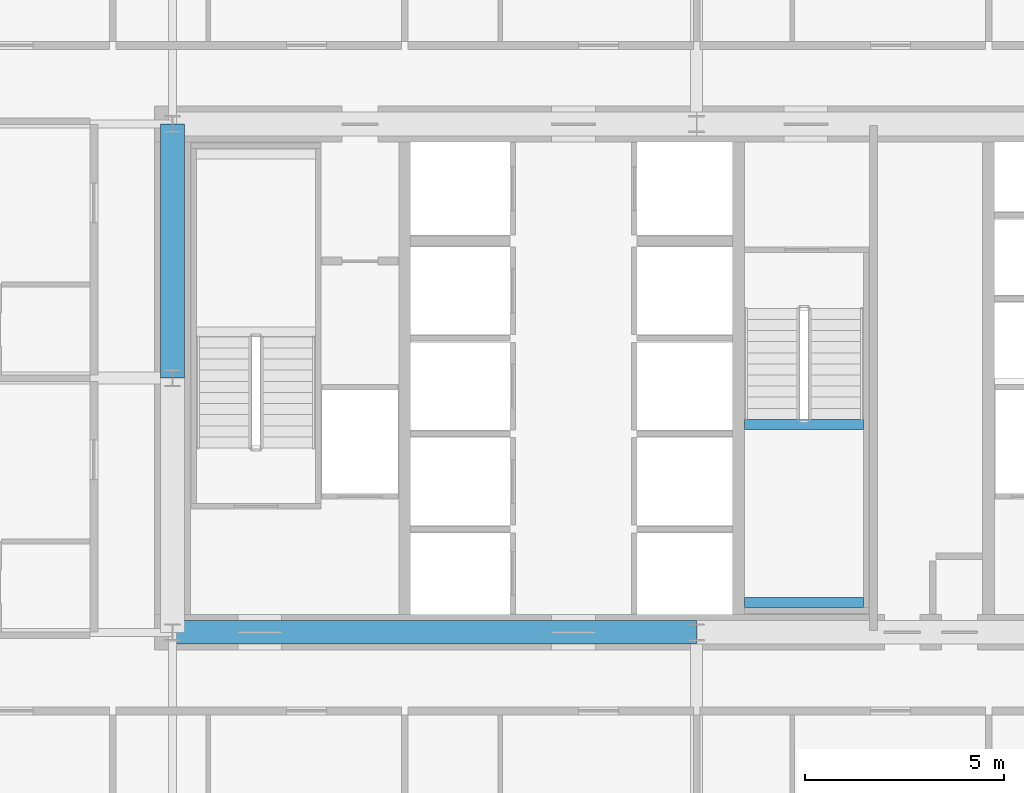
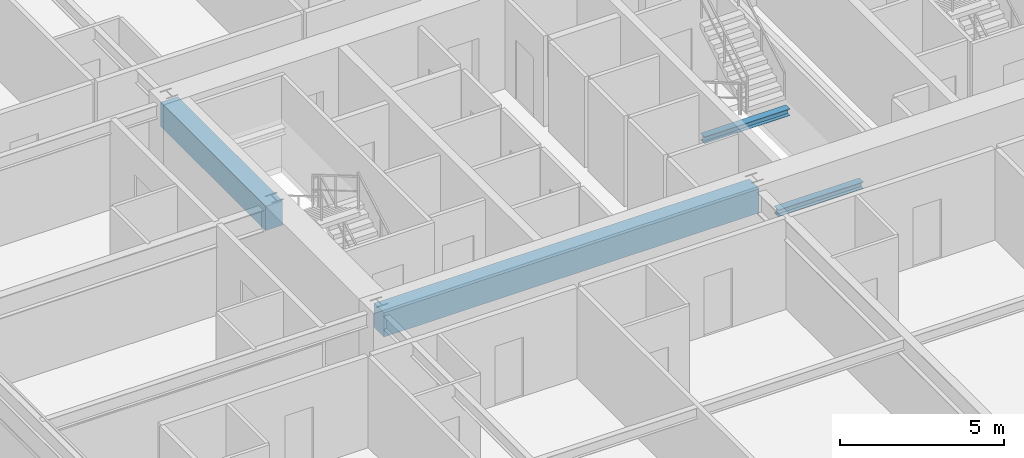
# One storey, part 13 of 45: 4 beams.
"""IFC4 building model written with IfcOpenShell, lengths in metres."""

from ifc_helpers import new_model, si_unit, direction, frame, origin, origin_2d, place, context, subcontext, project, spatial, rectangle, i_section, extrude, source, transform, mapped, material, material_profile, profile_set, type_object, element, save


model = new_model("IFC4")

# Units and contexts
model_context = context("Model", 3, precision=1e-05, world=origin(), true_north=direction((0.0, 1.0)))
body_context = subcontext(model_context, "Body", "Model", "MODEL_VIEW")
ifc_project = project(units=[si_unit("LENGTHUNIT", "METRE"), si_unit("AREAUNIT", "SQUARE_METRE"), si_unit("VOLUMEUNIT", "CUBIC_METRE"), si_unit("PLANEANGLEUNIT", "RADIAN"), si_unit("MASSUNIT", "GRAM", prefix="KILO"), si_unit("THERMODYNAMICTEMPERATUREUNIT", "KELVIN"), si_unit("POWERUNIT", "WATT")], contexts=[model_context])

# Site, building, storey
site_placement = place(None, origin())
site = spatial("IfcSite", under=ifc_project, at=site_placement, CompositionType="ELEMENT")
building_placement = place(site_placement, origin())
building = spatial("IfcBuilding", under=site, at=building_placement, Name="Yuzanri Waterfront Tower", CompositionType="ELEMENT")
storey_placement = place(building_placement, frame((0.0, 0.0, 34.199951171875)))
storey = spatial("IfcBuildingStorey", under=building, at=storey_placement, Name="L08", CompositionType="ELEMENT", Elevation=34.199951171875)

# Beams
ifc_material_1 = material(Name="Concrete C60", Category="concrete")
ifc_material_profile_1 = material_profile(ifc_material_1, rectangle(XDim=0.60009765625, YDim=0.89990234375, at=origin_2d()), Name="RC 600x900")
ifc_profile_set_1 = profile_set([ifc_material_profile_1], Name="Concrete C60")
beam_type_1 = type_object("IfcBeamType", Name="Core Coupling Lintel Concrete C60 600x900", PredefinedType="LINTEL", material=ifc_profile_set_1)
shared_shape_1 = source(origin(), body_context, "Body", "SweptSolid", [
    extrude(rectangle(XDim=0.60009765625, YDim=0.89990234375, at=origin_2d()), origin(), (0.0, 0.0, 1.0), 13.199951171875),
])
beam_1_placement = place(storey_placement, frame((23.800048828125, 19.39990234375, 2.929931640625), z_axis=(1.0, 0.0, 0.0), x_axis=(0.0, 1.0, 0.0)))
element("IfcBeam", 1, at=beam_1_placement, inside=storey, type_object=beam_type_1, Name="L08 Core Tie Beam CS1", PredefinedType="LINTEL", context=body_context, shape_type="MappedRepresentation", body=[
    mapped(shared_shape_1, transform((0.0, 0.0, 0.0), scale=1.0)),
])
shared_shape_2 = source(origin(), body_context, "Body", "SweptSolid", [
    extrude(rectangle(XDim=0.60009765625, YDim=0.89990234375, at=origin_2d()), origin(), (0.0, 0.0, 1.0), 6.39990234375),
])
beam_2_placement = place(storey_placement, frame((23.800048828125, 25.800048828125, 2.929931640625), z_axis=(0.0, 1.0, 0.0), x_axis=(-1.0, 0.0, 0.0)))
element("IfcBeam", 2, at=beam_2_placement, inside=storey, type_object=beam_type_1, Name="L08 Core Tie Beam CW2", PredefinedType="LINTEL", context=body_context, shape_type="MappedRepresentation", body=[
    mapped(shared_shape_2, transform((0.0, 0.0, 0.0), scale=1.0)),
])
ifc_material_2 = material(Name="Steel Q355B", Category="steel")
ifc_material_profile_2 = material_profile(ifc_material_2, i_section(OverallWidth=0.25, OverallDepth=0.25, WebThickness=0.009033203125, FlangeThickness=0.013916015625, at=origin_2d()), Name="HW 250x250x9x14")
ifc_profile_set_2 = profile_set([ifc_material_profile_2], Name="Steel Q355B")
beam_type_2 = type_object("IfcBeamType", Name="Stair Landing Support Beam Q355B HW 250x250", PredefinedType="BEAM", material=ifc_profile_set_2)
shared_shape_3 = source(origin(), body_context, "Body", "SweptSolid", [
    extrude(i_section(OverallWidth=0.25, OverallDepth=0.25, WebThickness=0.009033203125, FlangeThickness=0.013916015625, at=origin_2d()), origin(), (0.0, 0.0, 1.0), 3.0),
])
for number, where, z_axis, x_axis, name in (
    (3, (38.199951171875, 20.14990234375, 1.47509765625), (1.0, 0.0, 0.0), (0.0, 1.0, 0.0), "L08 Stair Landing Support Beam ST-03-L08-L1-1"),
    (4, (38.199951171875, 24.6298828125, 1.47509765625), (1.0, 0.0, 0.0), (0.0, 1.0, 0.0), "L08 Stair Landing Support Beam ST-03-L08-L1-2"),
):
    element("IfcBeam", number, at=place(storey_placement, frame(where, z_axis=z_axis, x_axis=x_axis)), inside=storey, type_object=beam_type_2, Name=name, PredefinedType="BEAM", context=body_context, shape_type="MappedRepresentation", body=[
        mapped(shared_shape_3, transform((0.0, 0.0, 0.0), scale=1.0)),
    ])

save(model, "model.ifc")
